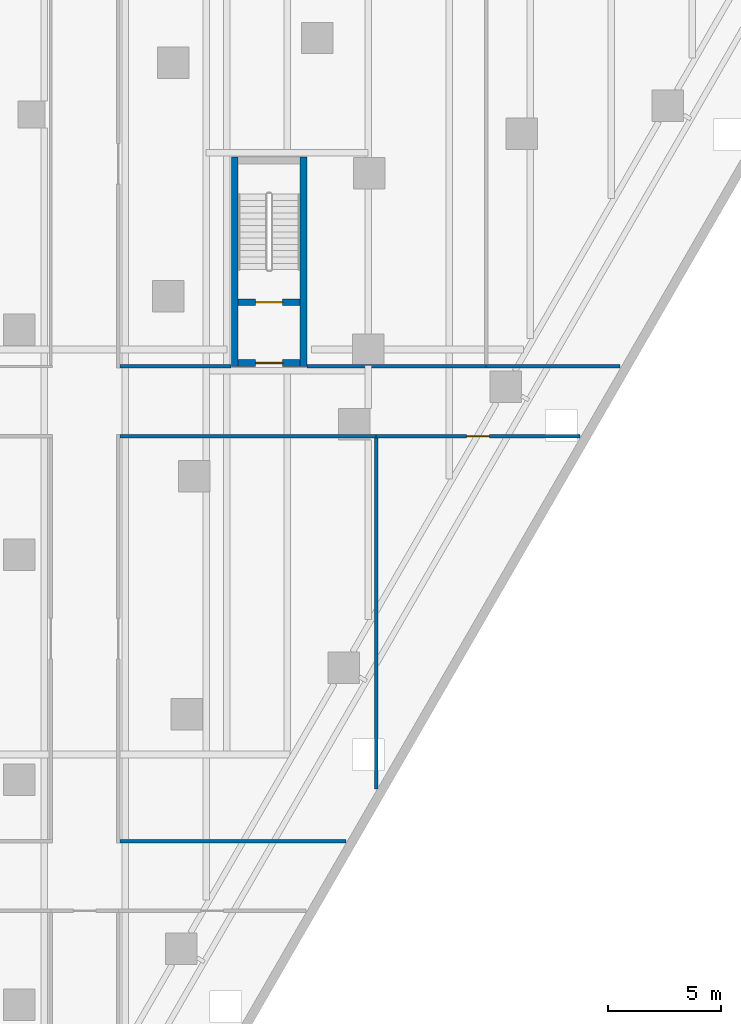
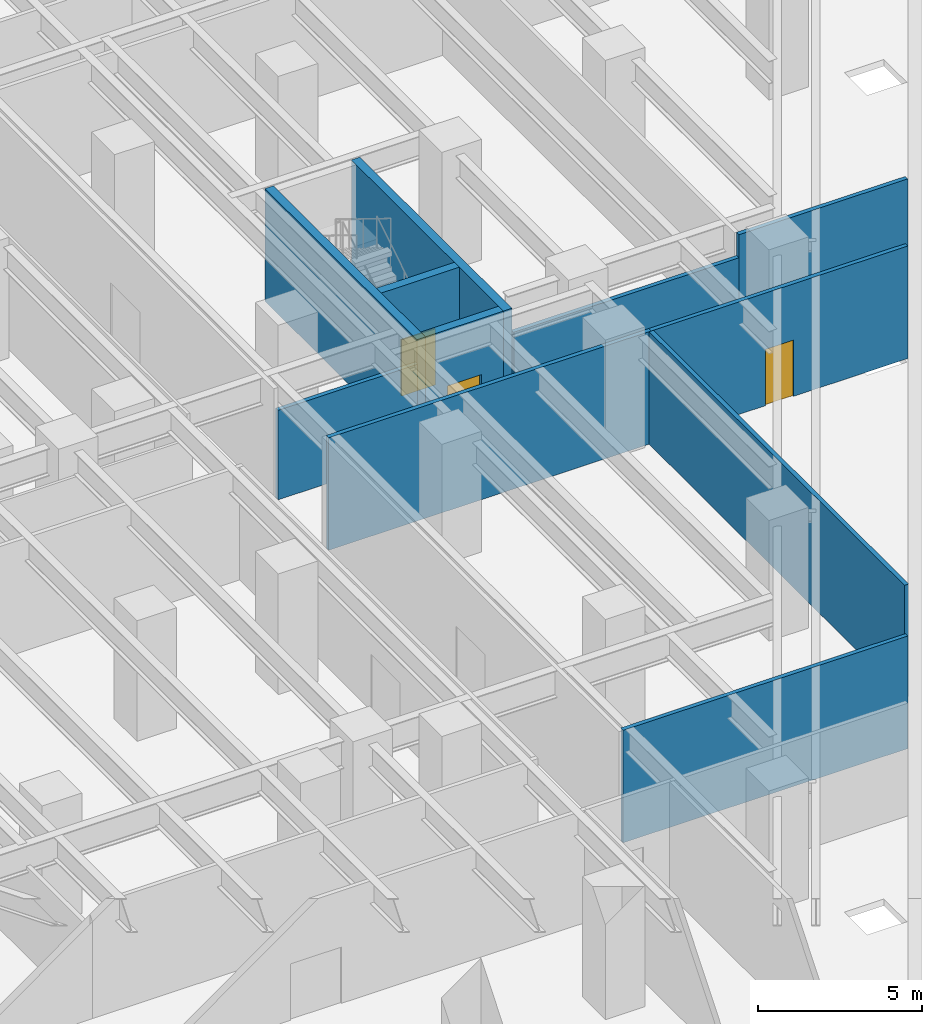
# One storey, part 11 of 20: 11 walls, 3 doors, 3 openings.
"""IFC4 building model written with IfcOpenShell, lengths in metres."""

import ifcopenshell
import ifcopenshell.guid

model = None  # the IFC model being written
_history = None  # IfcOwnerHistory: only IFC2X3 demands one
_inside = {}  # id of a spatial element -> (the spatial element, [elements in it])
_under = {}  # id of a project, library or spatial element -> (it, [spatial elements below it])
_declared = {}  # id of a project -> (the project, [libraries it declares])
_typed = {}  # id of a type object -> (the type object, [elements of that type])
_made_of = {}  # id of a material, layer set ... -> (it, [elements and type objects made of it])


def new_model(schema):
    """Start an empty IFC model of exactly this schema.

    Asked for "IFC4X3", IfcOpenShell would pick the latest addendum, in which some entities
    have other attributes; the version numbers below select the first issue.
    IFC2X3 requires an IfcOwnerHistory on every rooted entity: one is made here for all.
    """
    global model, _history
    if schema == "IFC4X3":
        model = ifcopenshell.file(schema_version=(4, 3, 0, 0))
    else:
        model = ifcopenshell.file(schema=schema)
    _inside.clear()
    _under.clear()
    _declared.clear()
    _typed.clear()
    _made_of.clear()
    _history = None
    if model.schema == "IFC2X3":
        org = make("IfcOrganization", Name="unknown")
        user = make(
            "IfcPersonAndOrganization",
            ThePerson=make("IfcPerson", FamilyName="unknown"),
            TheOrganization=org,
        )
        app = make(
            "IfcApplication",
            ApplicationDeveloper=org,
            Version="unknown",
            ApplicationFullName="unknown",
            ApplicationIdentifier="unknown",
        )
        _history = make(
            "IfcOwnerHistory",
            OwningUser=user,
            OwningApplication=app,
            ChangeAction="ADDED",
            CreationDate=0,
        )
    return model


def make(cls, **values):
    """One entity of the class cls with the attributes given. An attribute that is None is left unset."""
    return model.create_entity(
        cls, **{name: value for name, value in values.items() if value is not None}
    )


def rooted(cls, **values):
    """An entity with a GlobalId (a new one), such as an element, a storey or a relation."""
    return make(cls, GlobalId=ifcopenshell.guid.new(), OwnerHistory=_history, **values)


def si_unit(unit_type, name, prefix=None):
    """IfcSIUnit, for example si_unit("LENGTHUNIT", "METRE", prefix="MILLI")."""
    return make("IfcSIUnit", UnitType=unit_type, Prefix=prefix, Name=name)


def assignment(units):
    """IfcUnitAssignment: the units of a project."""
    return None if units is None else make("IfcUnitAssignment", Units=units)


def point(xyz):
    """IfcCartesianPoint."""
    return None if xyz is None else make("IfcCartesianPoint", Coordinates=xyz)


def direction(xyz):
    """IfcDirection."""
    return None if xyz is None else make("IfcDirection", DirectionRatios=xyz)


def frame(location, z_axis=None, x_axis=None):
    """IfcAxis2Placement3D, a coordinate frame: its origin and axes. An axis left out is left unset."""
    return make(
        "IfcAxis2Placement3D",
        Location=point(location),
        Axis=direction(z_axis),
        RefDirection=direction(x_axis),
    )


def frame_2d(location, x_axis=None):
    """IfcAxis2Placement2D, a coordinate frame in the plane: its origin and x axis."""
    return make(
        "IfcAxis2Placement2D", Location=point(location), RefDirection=direction(x_axis)
    )


def origin():
    """The frame at (0, 0, 0) with its axes left unset."""
    return frame((0.0, 0.0, 0.0))


def place(relative_to, where):
    """IfcLocalPlacement: puts the frame where relative to a parent placement (None: the world)."""
    return make(
        "IfcLocalPlacement", PlacementRelTo=relative_to, RelativePlacement=where
    )


def context(
    kind, dimensions, precision=None, world=None, true_north=None, identifier=None
):
    """IfcGeometricRepresentationContext, for example the 3D "Model" context."""
    return make(
        "IfcGeometricRepresentationContext",
        ContextIdentifier=identifier,
        ContextType=kind,
        CoordinateSpaceDimension=dimensions,
        Precision=precision,
        WorldCoordinateSystem=world,
        TrueNorth=true_north,
    )


def subcontext(parent, identifier, kind, view, scale=None):
    """IfcGeometricRepresentationSubContext, for example "Body" below "Model"."""
    return make(
        "IfcGeometricRepresentationSubContext",
        ContextIdentifier=identifier,
        ContextType=kind,
        ParentContext=parent,
        TargetScale=scale,
        TargetView=view,
    )


def project(units=None, contexts=None):
    """IfcProject with its units and contexts."""
    return rooted(
        "IfcProject",
        Name="project",
        RepresentationContexts=contexts,
        UnitsInContext=assignment(units),
    )


def spatial(cls, under=None, at=None, **own):
    """A site, building, storey or space (cls), placed at a placement, below another one or the project."""
    s = rooted(cls, ObjectPlacement=at, **own)
    if under is not None:
        _under.setdefault(under.id(), (under, []))[1].append(s)
    return s


def profile(cls, at=None, kind="AREA", **sizes):
    """A parametric profile (cls). Its sizes go by their IFC names, for example OverallWidth=200.0."""
    return make(cls, ProfileType=kind, Position=at, **sizes)


def rectangle(**sizes):
    """IfcRectangleProfileDef."""
    return profile("IfcRectangleProfileDef", **sizes)


def extrude(swept, where, along, depth):
    """IfcExtrudedAreaSolid: the profile swept, set in the frame where, extruded along a direction by depth."""
    return make(
        "IfcExtrudedAreaSolid",
        SweptArea=swept,
        Position=where,
        ExtrudedDirection=direction(along),
        Depth=depth,
    )


def shape(context_of_items, identifier, shape_type, items):
    """IfcShapeRepresentation: the items that make up one representation, for example the "Body"."""
    return make(
        "IfcShapeRepresentation",
        ContextOfItems=context_of_items,
        RepresentationIdentifier=identifier,
        RepresentationType=shape_type,
        Items=items,
    )


def material(Name=None, Category=None):
    """IfcMaterial."""
    return make("IfcMaterial", Name=Name, Category=Category)


def layer(
    of_material, thickness, ventilated=None, Name=None, Category=None, Priority=None
):
    """IfcMaterialLayer: one layer of a wall or slab, of a material (None: an air gap)."""
    return make(
        "IfcMaterialLayer",
        Material=of_material,
        LayerThickness=thickness,
        IsVentilated=ventilated,
        Name=Name,
        Category=Category,
        Priority=Priority,
    )


def layer_set(layers, Name=None):
    """IfcMaterialLayerSet."""
    return make("IfcMaterialLayerSet", MaterialLayers=layers, LayerSetName=Name)


def made_of(thing, what):
    """Note that an element or type object is made of a material, layer set ...; save() writes the relation."""
    if what is not None:
        _made_of.setdefault(what.id(), (what, []))[1].append(thing)
    return thing


def type_object(cls, material=None, **own):
    """A type object (cls), such as IfcWallType, which elements share."""
    return made_of(rooted(cls, **own), material)


def element(
    cls,
    number,
    at=None,
    inside=None,
    cuts=None,
    type_object=None,
    material=None,
    context=None,
    identifier="Body",
    shape_type=None,
    held_by="IfcProductDefinitionShape",
    body=None,
    shapes=None,
    **own,
):
    """One element of the class cls, such as IfcWall. Its Tag is "e" and its number.

    at: its placement. inside: the storey or other place that contains it. cuts: it is an
    opening in that element (IfcRelVoidsElement). A single representation is given by context,
    identifier, shape_type and body (its items); several are given by shapes. held_by: the class
    of the entity that holds the representations. save() writes the other relations.
    """
    e = rooted(cls, Tag="e%d" % number, ObjectPlacement=at, **own)
    if body is not None:
        shapes = [shape(context, identifier, shape_type, body)]
    if shapes is not None:
        e.Representation = make(held_by, Representations=shapes)
    if inside is not None:
        _inside.setdefault(inside.id(), (inside, []))[1].append(e)
    if cuts is not None:
        rooted(
            "IfcRelVoidsElement", RelatingBuildingElement=cuts, RelatedOpeningElement=e
        )
    if type_object is not None:
        _typed.setdefault(type_object.id(), (type_object, []))[1].append(e)
    return made_of(e, material)


def fill(opening, filler):
    """IfcRelFillsElement: the door or window that sits in an opening."""
    return rooted(
        "IfcRelFillsElement",
        RelatingOpeningElement=opening,
        RelatedBuildingElement=filler,
    )


def aggregate(whole, parts):
    """IfcRelAggregates: a whole, such as a stair, and the parts it consists of."""
    return rooted("IfcRelAggregates", RelatingObject=whole, RelatedObjects=parts)


def save(model, path):
    """Write the relations noted so far, then the file.

    IfcRelAggregates (storeys below a building ...), IfcRelContainedInSpatialStructure (elements
    in a storey), IfcRelDefinesByType, IfcRelAssociatesMaterial and IfcRelDeclares: one each for
    every whole, place, type object, material and project.
    """
    for whole, parts in _under.values():
        aggregate(whole, parts)
    for where, things in _inside.values():
        rooted(
            "IfcRelContainedInSpatialStructure",
            RelatedElements=things,
            RelatingStructure=where,
        )
    for kind, things in _typed.values():
        rooted("IfcRelDefinesByType", RelatedObjects=things, RelatingType=kind)
    for what, things in _made_of.values():
        rooted("IfcRelAssociatesMaterial", RelatedObjects=things, RelatingMaterial=what)
    for by, libraries in _declared.values():
        rooted("IfcRelDeclares", RelatingContext=by, RelatedDefinitions=libraries)
    model.write(path)


model = new_model("IFC4")

# Units and contexts
model_context = context("Model", 3, precision=1e-05, world=origin(), true_north=direction((0.0, 1.0)))
body_context = subcontext(model_context, "Body", "Model", "MODEL_VIEW")
ifc_project = project(units=[si_unit("LENGTHUNIT", "METRE"), si_unit("AREAUNIT", "SQUARE_METRE"), si_unit("VOLUMEUNIT", "CUBIC_METRE"), si_unit("PLANEANGLEUNIT", "RADIAN"), si_unit("MASSUNIT", "GRAM", prefix="KILO")], contexts=[model_context])

# Site, building, storey
site_placement = place(None, origin())
site = spatial("IfcSite", under=ifc_project, at=site_placement, CompositionType="ELEMENT")
building_placement = place(site_placement, origin())
building = spatial("IfcBuilding", under=site, at=building_placement, Name="Aloe Facet Convention Tower", CompositionType="ELEMENT")
storey_placement = place(building_placement, frame((0.0, 0.0, -4.5)))
storey = spatial("IfcBuildingStorey", under=building, at=storey_placement, Name="B1", CompositionType="ELEMENT", Elevation=-4.5)

# Walls
ifc_material_1 = material(Name="Concrete C50/60", Category="concrete")
ifc_layer_1 = layer(ifc_material_1, 0.300048828125)
ifc_layer_set_1 = layer_set([ifc_layer_1], Name="CR-W-RC300-C5060")
wall_type_1 = type_object("IfcWallType", Name="CR-W-RC300-C5060", PredefinedType="SOLIDWALL", material=ifc_layer_set_1)
for number, where, z_axis, x_axis, name in (
    (1, (92.074951171875, 80.25, 0.0), (0.0, 0.0, 1.0), (0.0, 1.0, 0.0), "Exit stair wall B1-01"),
    (2, (95.125, 80.25, 0.0), (0.0, 0.0, 1.0), (0.0, 1.0, 0.0), "Exit stair wall B1-02"),
):
    element("IfcWall", number, at=place(storey_placement, frame(where, z_axis=z_axis, x_axis=x_axis)), inside=storey, type_object=wall_type_1, Name=name, PredefinedType="SOLIDWALL", context=body_context, shape_type="SweptSolid", body=[
        extrude(rectangle(XDim=9.300048828125, YDim=0.300048828125, at=frame_2d((4.64990234375, 0.0))), origin(), (0.0, 0.0, 1.0), 4.199951171875),
    ])

# Wall, opening, door
wall_1_placement = place(storey_placement, frame((92.22509765625, 80.39990234375, 0.0), z_axis=(0.0, 0.0, 1.0), x_axis=(1.0, 0.0, 0.0)))
wall_1 = element("IfcWall", 3, at=wall_1_placement, inside=storey, type_object=wall_type_1, Name="Exit stair wall B1-03", PredefinedType="SOLIDWALL", context=body_context, shape_type="SweptSolid", body=[
    extrude(rectangle(XDim=2.75, YDim=0.300048828125, at=frame_2d((1.375, 0.0))), origin(), (0.0, 0.0, 1.0), 4.199951171875),
])
opening_1_placement = place(wall_1_placement, frame((0.77490234375, 0.0, 0.0)))
opening_1 = element("IfcOpeningElement", 4, at=opening_1_placement, cuts=wall_1, Name="Opening B1-ST6-02", PredefinedType="OPENING", context=body_context, shape_type="SweptSolid", body=[
    extrude(rectangle(XDim=1.199951171875, YDim=2.10009765625, at=frame_2d((0.60009765625, 1.050048828125))), frame((0.0, 0.16015625, 0.0), z_axis=(0.0, -1.0, 0.0), x_axis=(1.0, 0.0, 0.0)), (0.0, 0.0, 1.0), 0.320068359375),
])
ifc_material_2 = material(Name="Steel fire-resisting door set FD60", Category="steel")
door_type_1 = type_object("IfcDoorType", Name="CR-D-EXIT-1200-FD60-SRIGHT", OperationType="SINGLE_SWING_RIGHT", PredefinedType="DOOR", material=ifc_material_2)
door_1_placement = place(opening_1_placement, origin())
door_1 = element("IfcDoor", 5, at=door_1_placement, inside=storey, type_object=door_type_1, Name="Stair lobby door B1-ST6-02", OperationType="SINGLE_SWING_RIGHT", OverallHeight=2.10009765625, OverallWidth=1.199951171875, PredefinedType="DOOR", context=body_context, shape_type="SweptSolid", body=[
    extrude(rectangle(XDim=1.199951171875, YDim=2.10009765625, at=frame_2d((0.60009765625, 1.050048828125))), frame((0.0, 0.02490234375, 0.0), z_axis=(0.0, -1.0, 0.0), x_axis=(1.0, 0.0, 0.0)), (0.0, 0.0, 1.0), 0.050048828125),
])
fill(opening_1, door_1)

wall_2_placement = place(storey_placement, frame((92.22509765625, 83.10009765625, 0.0), z_axis=(0.0, 0.0, 1.0), x_axis=(1.0, 0.0, 0.0)))
wall_2 = element("IfcWall", 6, at=wall_2_placement, inside=storey, type_object=wall_type_1, Name="Exit stair wall B1-04", PredefinedType="SOLIDWALL", context=body_context, shape_type="SweptSolid", body=[
    extrude(rectangle(XDim=2.75, YDim=0.300048828125, at=frame_2d((1.375, 0.0))), origin(), (0.0, 0.0, 1.0), 4.199951171875),
])
opening_2_placement = place(wall_2_placement, frame((0.77490234375, 0.0, 0.0)))
opening_2 = element("IfcOpeningElement", 7, at=opening_2_placement, cuts=wall_2, Name="Opening B1-ST6-01", PredefinedType="OPENING", context=body_context, shape_type="SweptSolid", body=[
    extrude(rectangle(XDim=1.199951171875, YDim=2.10009765625, at=frame_2d((0.60009765625, 1.050048828125))), frame((0.0, 0.16015625, 0.0), z_axis=(0.0, -1.0, 0.0), x_axis=(1.0, 0.0, 0.0)), (0.0, 0.0, 1.0), 0.320068359375),
])
ifc_material_3 = material(Name="Steel fire-resisting door set FD120", Category="steel")
door_type_2 = type_object("IfcDoorType", Name="CR-D-STAIR-1200-FD120-SLEFT", OperationType="SINGLE_SWING_LEFT", PredefinedType="DOOR", material=ifc_material_3)
door_2_placement = place(opening_2_placement, origin())
door_2 = element("IfcDoor", 8, at=door_2_placement, inside=storey, type_object=door_type_2, Name="Stair door B1-ST6-01", OperationType="SINGLE_SWING_LEFT", OverallHeight=2.10009765625, OverallWidth=1.199951171875, PredefinedType="DOOR", context=body_context, shape_type="SweptSolid", body=[
    extrude(rectangle(XDim=1.199951171875, YDim=2.10009765625, at=frame_2d((0.60009765625, 1.050048828125))), frame((0.0, 0.02490234375, 0.0), z_axis=(0.0, -1.0, 0.0), x_axis=(1.0, 0.0, 0.0)), (0.0, 0.0, 1.0), 0.050048828125),
])
fill(opening_2, door_2)

# Walls
ifc_material_4 = material(Name="Gypsum board partition on steel studs, double layer", Category="steel")
ifc_layer_2 = layer(ifc_material_4, 0.14990234375)
ifc_layer_set_2 = layer_set([ifc_layer_2], Name="IN-POD-W-CORR")
wall_type_2 = type_object("IfcWallType", Name="IN-POD-W-CORR", PredefinedType="PARTITIONING", material=ifc_layer_set_2)
wall_3_placement = place(storey_placement, frame((86.97509765625, 59.14990234375, 0.0), z_axis=(0.0, 0.0, 1.0), x_axis=(1.0, 0.0, 0.0)))
element("IfcWall", 9, at=wall_3_placement, inside=storey, type_object=wall_type_2, Name="Partition B1-W010", PredefinedType="PARTITIONING", context=body_context, shape_type="SweptSolid", body=[
    extrude(rectangle(XDim=10.044921875, YDim=0.14990234375, at=frame_2d((5.0224609375, 0.0))), origin(), (0.0, 0.0, 1.0), 4.199951171875),
])
wall_4_placement = place(storey_placement, frame((98.356201171875, 61.464111328125, 0.0), z_axis=(0.0, 0.0, 1.0), x_axis=(0.0, 1.0, 0.0)))
element("IfcWall", 10, at=wall_4_placement, inside=storey, type_object=wall_type_2, Name="Partition B1-W011", PredefinedType="PARTITIONING", context=body_context, shape_type="SweptSolid", body=[
    extrude(rectangle(XDim=15.61083984375, YDim=0.14990234375, at=frame_2d((7.805419921875, 0.0))), origin(), (0.0, 0.0, 1.0), 4.199951171875),
])
wall_5_placement = place(storey_placement, frame((86.97509765625, 77.14990234375, 0.0), z_axis=(0.0, 0.0, 1.0), x_axis=(1.0, 0.0, 0.0)))
element("IfcWall", 11, at=wall_5_placement, inside=storey, type_object=wall_type_2, Name="Partition B1-W015", PredefinedType="PARTITIONING", context=body_context, shape_type="SweptSolid", body=[
    extrude(rectangle(XDim=11.381103515625, YDim=0.14990234375, at=frame_2d((5.6904296875, 0.0))), origin(), (0.0, 0.0, 1.0), 4.199951171875),
])

# Wall, opening, door
wall_6_placement = place(storey_placement, frame((98.356201171875, 77.14990234375, 0.0), z_axis=(0.0, 0.0, 1.0), x_axis=(1.0, 0.0, 0.0)))
wall_6 = element("IfcWall", 12, at=wall_6_placement, inside=storey, type_object=wall_type_2, Name="Partition B1-W016", PredefinedType="PARTITIONING", context=body_context, shape_type="SweptSolid", body=[
    extrude(rectangle(XDim=9.05615234375, YDim=0.14990234375, at=frame_2d((4.528076171875, 0.0))), origin(), (0.0, 0.0, 1.0), 4.199951171875),
])
opening_3_placement = place(wall_6_placement, frame((4.028076171875, 0.0, 0.0)))
opening_3 = element("IfcOpeningElement", 13, at=opening_3_placement, cuts=wall_6, Name="Opening B1-021", PredefinedType="OPENING", context=body_context, shape_type="SweptSolid", body=[
    extrude(rectangle(XDim=1.0, YDim=2.10009765625, at=frame_2d((0.5, 1.050048828125))), frame((0.0, 0.0849609375, 0.0), z_axis=(0.0, -1.0, 0.0), x_axis=(1.0, 0.0, 0.0)), (0.0, 0.0, 1.0), 0.169921875),
])
ifc_material_5 = material(Name="Steel flush door, galvanised", Category="steel")
door_type_3 = type_object("IfcDoorType", Name="IN-POD-D-PLANT", OperationType="SINGLE_SWING_LEFT", PredefinedType="DOOR", material=ifc_material_5)
door_3_placement = place(opening_3_placement, origin())
door_3 = element("IfcDoor", 14, at=door_3_placement, inside=storey, type_object=door_type_3, Name="Door B1-021", OperationType="SINGLE_SWING_LEFT", OverallHeight=2.10009765625, OverallWidth=1.0, PredefinedType="DOOR", context=body_context, shape_type="SweptSolid", body=[
    extrude(rectangle(XDim=1.0, YDim=2.10009765625, at=frame_2d((0.5, 1.050048828125))), frame((0.0, 0.02490234375, 0.0), z_axis=(0.0, -1.0, 0.0), x_axis=(1.0, 0.0, 0.0)), (0.0, 0.0, 1.0), 0.050048828125),
])
fill(opening_3, door_3)

# Walls
wall_7_placement = place(storey_placement, frame((86.97509765625, 80.25, 0.0), z_axis=(0.0, 0.0, 1.0), x_axis=(1.0, 0.0, 0.0)))
element("IfcWall", 15, at=wall_7_placement, inside=storey, type_object=wall_type_2, Name="Partition B1-W022", PredefinedType="PARTITIONING", context=body_context, shape_type="SweptSolid", body=[
    extrude(rectangle(XDim=4.929931640625, YDim=0.14990234375, at=frame_2d((2.46484375, 0.0))), origin(), (0.0, 0.0, 1.0), 3.339111328125),
])
wall_8_placement = place(storey_placement, frame((95.294921875, 80.25, 0.0), z_axis=(0.0, 0.0, 1.0), x_axis=(1.0, 0.0, 0.0)))
element("IfcWall", 16, at=wall_8_placement, inside=storey, type_object=wall_type_2, Name="Partition B1-W023", PredefinedType="PARTITIONING", context=body_context, shape_type="SweptSolid", body=[
    extrude(rectangle(XDim=7.9521484375, YDim=0.14990234375, at=frame_2d((3.97607421875, 0.0))), origin(), (0.0, 0.0, 1.0), 3.339111328125),
])
wall_9_placement = place(storey_placement, frame((103.2470703125, 80.25, 0.0), z_axis=(0.0, 0.0, 1.0), x_axis=(1.0, 0.0, 0.0)))
element("IfcWall", 17, at=wall_9_placement, inside=storey, type_object=wall_type_2, Name="Partition B1-W025", PredefinedType="PARTITIONING", context=body_context, shape_type="SweptSolid", body=[
    extrude(rectangle(XDim=5.955078125, YDim=0.14990234375, at=frame_2d((2.9775390625, 0.0))), origin(), (0.0, 0.0, 1.0), 4.199951171875),
])

save(model, "model.ifc")
